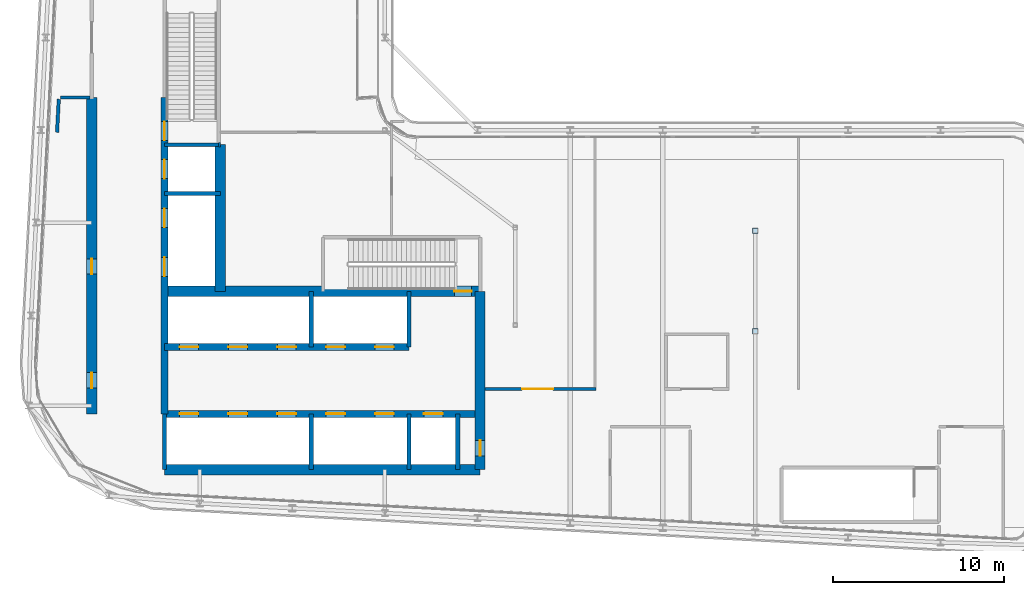
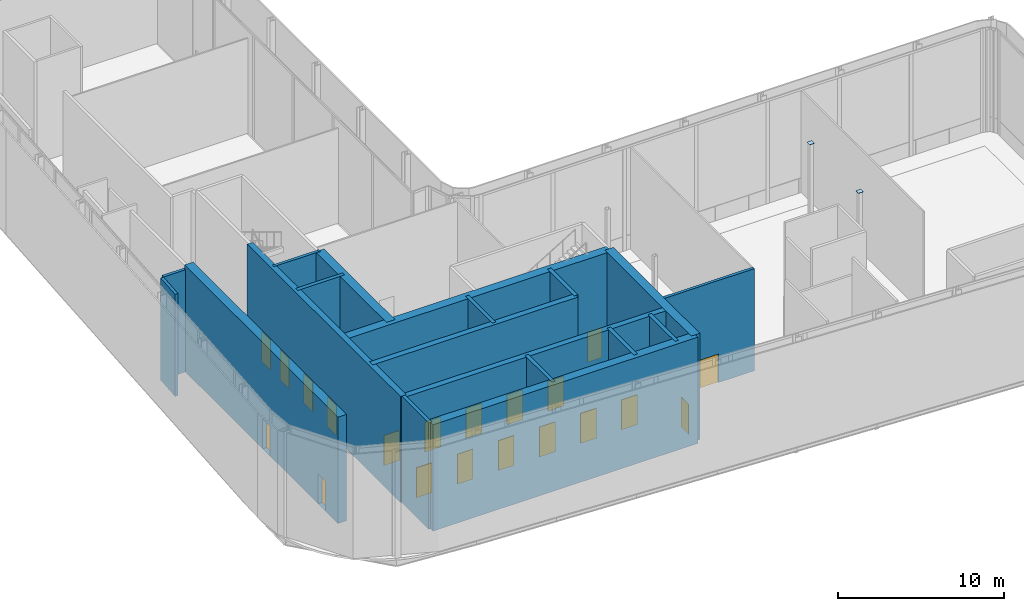
# One storey, part 20 of 27: 20 doors, 20 walls, 2 plates, 20 openings.
"""IFC4 building model written with IfcOpenShell, lengths in metres."""

from ifc_helpers import new_model, si_unit, direction, frame, frame_2d, origin, origin_2d, place, context, subcontext, project, spatial, rectangle, extrude, source, transform, mapped, material, layer, layer_set, type_object, element, fill, save


model = new_model("IFC4")

# Units and contexts
model_context = context("Model", 3, precision=1e-05, world=origin(), true_north=direction((0.0, 1.0)))
body_context = subcontext(model_context, "Body", "Model", "MODEL_VIEW")
ifc_project = project(units=[si_unit("LENGTHUNIT", "METRE"), si_unit("AREAUNIT", "SQUARE_METRE"), si_unit("VOLUMEUNIT", "CUBIC_METRE"), si_unit("PLANEANGLEUNIT", "RADIAN"), si_unit("MASSUNIT", "GRAM", prefix="KILO")], contexts=[model_context])

# Site, building, storey
site_placement = place(None, origin())
site = spatial("IfcSite", under=ifc_project, at=site_placement, CompositionType="ELEMENT")
building_placement = place(site_placement, origin())
building = spatial("IfcBuilding", under=site, at=building_placement, Name="Kheshtan School and Residences Tower", CompositionType="ELEMENT")
storey_placement = place(building_placement, frame((0.0, 0.0, 266.89990234375)))
storey = spatial("IfcBuildingStorey", under=building, at=storey_placement, Name="L63", CompositionType="ELEMENT", Elevation=266.89990234375)

# Plates
ifc_material_1 = material(Name="Steel ASTM A992 Grade 50", Category="steel")
ifc_layer_1 = layer(ifc_material_1, 0.02490234375)
ifc_layer_set_1 = layer_set([ifc_layer_1], Name="End plate 25 HSS 254x254x12.7 ASTM A992 Grade 50")
plate_type = type_object("IfcPlateType", Name="End plate 25 HSS 254x254x12.7 ASTM A992 Grade 50", PredefinedType="SHEET", material=ifc_layer_set_1)
for number, where, z_axis, x_axis, name in (
    (1, (69.199951171875, 33.863037109375, 7.800048828125), (0.0, 0.0, 1.0), (1.0, 0.0, 0.0), "End plate"),
    (2, (69.199951171875, 39.73193359375, 7.800048828125), (0.0, 0.0, 1.0), (1.0, 0.0, 0.0), "End plate"),
):
    element("IfcPlate", number, at=place(storey_placement, frame(where, z_axis=z_axis, x_axis=x_axis)), inside=storey, type_object=plate_type, Name=name, PredefinedType="SHEET", context=body_context, shape_type="SweptSolid", body=[
        extrude(rectangle(XDim=0.333984375, YDim=0.333984375, at=origin_2d()), origin(), (0.0, 0.0, 1.0), 0.02490234375),
    ])

# Wall, openings, doors
ifc_material_2 = material(Name="Concrete C50/60", Category="concrete")
ifc_layer_2 = layer(ifc_material_2, 0.39990234375)
ifc_layer_set_2 = layer_set([ifc_layer_2], Name="Core wall 400 Concrete C50/60")
wall_type_1 = type_object("IfcWallType", Name="Core wall 400 Concrete C50/60", PredefinedType="SHEAR", material=ifc_layer_set_2)
wall_1_placement = place(storey_placement, frame((34.75, 29.050048828125, 0.0), z_axis=(0.0, 0.0, 1.0), x_axis=(1.0, 0.0, 0.0)))
wall_1 = element("IfcWall", 3, at=wall_1_placement, inside=storey, type_object=wall_type_1, Name="Core wall CW-HALL-S1", PredefinedType="SHEAR", context=body_context, shape_type="SweptSolid", body=[
    extrude(rectangle(XDim=18.39990234375, YDim=0.39990234375, at=frame_2d((9.199951171875, 0.0))), origin(), (0.0, 0.0, 1.0), 7.800048828125),
])
opening_1_placement = place(wall_1_placement, frame((0.875, 0.0, 0.0)))
opening_1 = element("IfcOpeningElement", 4, at=opening_1_placement, cuts=wall_1, Name="Opening LD", PredefinedType="OPENING", context=body_context, shape_type="SweptSolid", body=[
    extrude(rectangle(XDim=1.10009765625, YDim=2.199951171875, at=frame_2d((0.550048828125, 1.10009765625))), frame((0.0, 0.2099609375, 0.0), z_axis=(0.0, -1.0, 0.0), x_axis=(1.0, 0.0, 0.0)), (0.0, 0.0, 1.0), 0.419921875),
])
opening_2_placement = place(wall_1_placement, frame((3.72509765625, 0.0, 0.0)))
opening_2 = element("IfcOpeningElement", 5, at=opening_2_placement, cuts=wall_1, Name="Opening LD", PredefinedType="OPENING", context=body_context, shape_type="SweptSolid", body=[
    extrude(rectangle(XDim=1.10009765625, YDim=2.199951171875, at=frame_2d((0.550048828125, 1.10009765625))), frame((0.0, 0.2099609375, 0.0), z_axis=(0.0, -1.0, 0.0), x_axis=(1.0, 0.0, 0.0)), (0.0, 0.0, 1.0), 0.419921875),
])
opening_3_placement = place(wall_1_placement, frame((6.574951171875, 0.0, 0.0)))
opening_3 = element("IfcOpeningElement", 6, at=opening_3_placement, cuts=wall_1, Name="Opening LD", PredefinedType="OPENING", context=body_context, shape_type="SweptSolid", body=[
    extrude(rectangle(XDim=1.10009765625, YDim=2.199951171875, at=frame_2d((0.550048828125, 1.10009765625))), frame((0.0, 0.2099609375, 0.0), z_axis=(0.0, -1.0, 0.0), x_axis=(1.0, 0.0, 0.0)), (0.0, 0.0, 1.0), 0.419921875),
])
opening_4_placement = place(wall_1_placement, frame((9.425048828125, 0.0, 0.0)))
opening_4 = element("IfcOpeningElement", 7, at=opening_4_placement, cuts=wall_1, Name="Opening LD", PredefinedType="OPENING", context=body_context, shape_type="SweptSolid", body=[
    extrude(rectangle(XDim=1.10009765625, YDim=2.199951171875, at=frame_2d((0.550048828125, 1.10009765625))), frame((0.0, 0.2099609375, 0.0), z_axis=(0.0, -1.0, 0.0), x_axis=(1.0, 0.0, 0.0)), (0.0, 0.0, 1.0), 0.419921875),
])
opening_5_placement = place(wall_1_placement, frame((12.27490234375, 0.0, 0.0)))
opening_5 = element("IfcOpeningElement", 8, at=opening_5_placement, cuts=wall_1, Name="Opening LD", PredefinedType="OPENING", context=body_context, shape_type="SweptSolid", body=[
    extrude(rectangle(XDim=1.10009765625, YDim=2.199951171875, at=frame_2d((0.550048828125, 1.10009765625))), frame((0.0, 0.2099609375, 0.0), z_axis=(0.0, -1.0, 0.0), x_axis=(1.0, 0.0, 0.0)), (0.0, 0.0, 1.0), 0.419921875),
])
opening_6_placement = place(wall_1_placement, frame((15.125, 0.0, 0.0)))
opening_6 = element("IfcOpeningElement", 9, at=opening_6_placement, cuts=wall_1, Name="Opening LD", PredefinedType="OPENING", context=body_context, shape_type="SweptSolid", body=[
    extrude(rectangle(XDim=1.10009765625, YDim=2.199951171875, at=frame_2d((0.550048828125, 1.10009765625))), frame((0.0, 0.2099609375, 0.0), z_axis=(0.0, -1.0, 0.0), x_axis=(1.0, 0.0, 0.0)), (0.0, 0.0, 1.0), 0.419921875),
])
ifc_material_3 = material(Name="Stainless steel door leaves", Category="steel")
door_type_1 = type_object("IfcDoorType", Name="Lift landing door 1100", OperationType="SLIDING_TO_LEFT", PredefinedType="DOOR", material=ifc_material_3)
shared_shape_1 = source(origin(), body_context, "Body", "SweptSolid", [
    extrude(rectangle(XDim=1.10009765625, YDim=2.199951171875, at=frame_2d((0.550048828125, 1.10009765625))), frame((0.0, 0.02490234375, 0.0), z_axis=(0.0, -1.0, 0.0), x_axis=(1.0, 0.0, 0.0)), (0.0, 0.0, 1.0), 0.050048828125),
])
door_1_placement = place(opening_1_placement, origin())
door_1 = element("IfcDoor", 10, at=door_1_placement, inside=storey, type_object=door_type_1, Name="Lift P7 landing door", OperationType="SLIDING_TO_LEFT", OverallHeight=2.199951171875, OverallWidth=1.10009765625, PredefinedType="DOOR", context=body_context, shape_type="MappedRepresentation", body=[
    mapped(shared_shape_1, transform((0.0, 0.0, 0.0), x_axis=(1.0, 0.0, 0.0), y_axis=(0.0, 1.0, 0.0), z_axis=(0.0, 0.0, 1.0), scale=1.0)),
])
fill(opening_1, door_1)
door_2_placement = place(opening_2_placement, origin())
door_2 = element("IfcDoor", 11, at=door_2_placement, inside=storey, type_object=door_type_1, Name="Lift P8 landing door", OperationType="SLIDING_TO_LEFT", OverallHeight=2.199951171875, OverallWidth=1.10009765625, PredefinedType="DOOR", context=body_context, shape_type="MappedRepresentation", body=[
    mapped(shared_shape_1, transform((0.0, 0.0, 0.0), x_axis=(1.0, 0.0, 0.0), y_axis=(0.0, 1.0, 0.0), z_axis=(0.0, 0.0, 1.0), scale=1.0)),
])
fill(opening_2, door_2)
door_3_placement = place(opening_3_placement, origin())
door_3 = element("IfcDoor", 12, at=door_3_placement, inside=storey, type_object=door_type_1, Name="Lift P9 landing door", OperationType="SLIDING_TO_LEFT", OverallHeight=2.199951171875, OverallWidth=1.10009765625, PredefinedType="DOOR", context=body_context, shape_type="MappedRepresentation", body=[
    mapped(shared_shape_1, transform((0.0, 0.0, 0.0), x_axis=(1.0, 0.0, 0.0), y_axis=(0.0, 1.0, 0.0), z_axis=(0.0, 0.0, 1.0), scale=1.0)),
])
fill(opening_3, door_3)
door_4_placement = place(opening_4_placement, origin())
door_4 = element("IfcDoor", 13, at=door_4_placement, inside=storey, type_object=door_type_1, Name="Lift P10 landing door", OperationType="SLIDING_TO_LEFT", OverallHeight=2.199951171875, OverallWidth=1.10009765625, PredefinedType="DOOR", context=body_context, shape_type="MappedRepresentation", body=[
    mapped(shared_shape_1, transform((0.0, 0.0, 0.0), x_axis=(1.0, 0.0, 0.0), y_axis=(0.0, 1.0, 0.0), z_axis=(0.0, 0.0, 1.0), scale=1.0)),
])
fill(opening_4, door_4)
door_5_placement = place(opening_5_placement, origin())
door_5 = element("IfcDoor", 14, at=door_5_placement, inside=storey, type_object=door_type_1, Name="Lift P11 landing door", OperationType="SLIDING_TO_LEFT", OverallHeight=2.199951171875, OverallWidth=1.10009765625, PredefinedType="DOOR", context=body_context, shape_type="MappedRepresentation", body=[
    mapped(shared_shape_1, transform((0.0, 0.0, 0.0), x_axis=(1.0, 0.0, 0.0), y_axis=(0.0, 1.0, 0.0), z_axis=(0.0, 0.0, 1.0), scale=1.0)),
])
fill(opening_5, door_5)
door_6_placement = place(opening_6_placement, origin())
door_6 = element("IfcDoor", 15, at=door_6_placement, inside=storey, type_object=door_type_1, Name="Lift FFL2 landing door", OperationType="SLIDING_TO_LEFT", OverallHeight=2.199951171875, OverallWidth=1.10009765625, PredefinedType="DOOR", context=body_context, shape_type="MappedRepresentation", body=[
    mapped(shared_shape_1, transform((0.0, 0.0, 0.0), x_axis=(1.0, 0.0, 0.0), y_axis=(0.0, 1.0, 0.0), z_axis=(0.0, 0.0, 1.0), scale=1.0)),
])
fill(opening_6, door_6)

wall_2_placement = place(storey_placement, frame((34.75, 32.949951171875, 0.0), z_axis=(0.0, 0.0, 1.0), x_axis=(1.0, 0.0, 0.0)))
wall_2 = element("IfcWall", 16, at=wall_2_placement, inside=storey, type_object=wall_type_1, Name="Core wall CW-HALL-S2", PredefinedType="SHEAR", context=body_context, shape_type="SweptSolid", body=[
    extrude(rectangle(XDim=14.25, YDim=0.39990234375, at=frame_2d((7.125, 0.0))), origin(), (0.0, 0.0, 1.0), 7.800048828125),
])
opening_7_placement = place(wall_2_placement, frame((0.875, 0.0, 0.0)))
opening_7 = element("IfcOpeningElement", 17, at=opening_7_placement, cuts=wall_2, Name="Opening LD", PredefinedType="OPENING", context=body_context, shape_type="SweptSolid", body=[
    extrude(rectangle(XDim=1.10009765625, YDim=2.199951171875, at=frame_2d((0.550048828125, 1.10009765625))), frame((0.0, 0.2099609375, 0.0), z_axis=(0.0, -1.0, 0.0), x_axis=(1.0, 0.0, 0.0)), (0.0, 0.0, 1.0), 0.419921875),
])
opening_8_placement = place(wall_2_placement, frame((3.72509765625, 0.0, 0.0)))
opening_8 = element("IfcOpeningElement", 18, at=opening_8_placement, cuts=wall_2, Name="Opening LD", PredefinedType="OPENING", context=body_context, shape_type="SweptSolid", body=[
    extrude(rectangle(XDim=1.10009765625, YDim=2.199951171875, at=frame_2d((0.550048828125, 1.10009765625))), frame((0.0, 0.2099609375, 0.0), z_axis=(0.0, -1.0, 0.0), x_axis=(1.0, 0.0, 0.0)), (0.0, 0.0, 1.0), 0.419921875),
])
opening_9_placement = place(wall_2_placement, frame((6.574951171875, 0.0, 0.0)))
opening_9 = element("IfcOpeningElement", 19, at=opening_9_placement, cuts=wall_2, Name="Opening LD", PredefinedType="OPENING", context=body_context, shape_type="SweptSolid", body=[
    extrude(rectangle(XDim=1.10009765625, YDim=2.199951171875, at=frame_2d((0.550048828125, 1.10009765625))), frame((0.0, 0.2099609375, 0.0), z_axis=(0.0, -1.0, 0.0), x_axis=(1.0, 0.0, 0.0)), (0.0, 0.0, 1.0), 0.419921875),
])
opening_10_placement = place(wall_2_placement, frame((9.425048828125, 0.0, 0.0)))
opening_10 = element("IfcOpeningElement", 20, at=opening_10_placement, cuts=wall_2, Name="Opening LD", PredefinedType="OPENING", context=body_context, shape_type="SweptSolid", body=[
    extrude(rectangle(XDim=1.10009765625, YDim=2.199951171875, at=frame_2d((0.550048828125, 1.10009765625))), frame((0.0, 0.2099609375, 0.0), z_axis=(0.0, -1.0, 0.0), x_axis=(1.0, 0.0, 0.0)), (0.0, 0.0, 1.0), 0.419921875),
])
opening_11_placement = place(wall_2_placement, frame((12.27490234375, 0.0, 0.0)))
opening_11 = element("IfcOpeningElement", 21, at=opening_11_placement, cuts=wall_2, Name="Opening LD", PredefinedType="OPENING", context=body_context, shape_type="SweptSolid", body=[
    extrude(rectangle(XDim=1.10009765625, YDim=2.199951171875, at=frame_2d((0.550048828125, 1.10009765625))), frame((0.0, 0.2099609375, 0.0), z_axis=(0.0, -1.0, 0.0), x_axis=(1.0, 0.0, 0.0)), (0.0, 0.0, 1.0), 0.419921875),
])
door_7_placement = place(opening_7_placement, origin())
door_7 = element("IfcDoor", 22, at=door_7_placement, inside=storey, type_object=door_type_1, Name="Lift P12 landing door", OperationType="SLIDING_TO_LEFT", OverallHeight=2.199951171875, OverallWidth=1.10009765625, PredefinedType="DOOR", context=body_context, shape_type="MappedRepresentation", body=[
    mapped(shared_shape_1, transform((0.0, 0.0, 0.0), x_axis=(1.0, 0.0, 0.0), y_axis=(0.0, 1.0, 0.0), z_axis=(0.0, 0.0, 1.0), scale=1.0)),
])
fill(opening_7, door_7)
door_8_placement = place(opening_8_placement, origin())
door_8 = element("IfcDoor", 23, at=door_8_placement, inside=storey, type_object=door_type_1, Name="Lift P13 landing door", OperationType="SLIDING_TO_LEFT", OverallHeight=2.199951171875, OverallWidth=1.10009765625, PredefinedType="DOOR", context=body_context, shape_type="MappedRepresentation", body=[
    mapped(shared_shape_1, transform((0.0, 0.0, 0.0), x_axis=(1.0, 0.0, 0.0), y_axis=(0.0, 1.0, 0.0), z_axis=(0.0, 0.0, 1.0), scale=1.0)),
])
fill(opening_8, door_8)
door_9_placement = place(opening_9_placement, origin())
door_9 = element("IfcDoor", 24, at=door_9_placement, inside=storey, type_object=door_type_1, Name="Lift P14 landing door", OperationType="SLIDING_TO_LEFT", OverallHeight=2.199951171875, OverallWidth=1.10009765625, PredefinedType="DOOR", context=body_context, shape_type="MappedRepresentation", body=[
    mapped(shared_shape_1, transform((0.0, 0.0, 0.0), x_axis=(1.0, 0.0, 0.0), y_axis=(0.0, 1.0, 0.0), z_axis=(0.0, 0.0, 1.0), scale=1.0)),
])
fill(opening_9, door_9)
door_10_placement = place(opening_10_placement, origin())
door_10 = element("IfcDoor", 25, at=door_10_placement, inside=storey, type_object=door_type_1, Name="Lift P15 landing door", OperationType="SLIDING_TO_LEFT", OverallHeight=2.199951171875, OverallWidth=1.10009765625, PredefinedType="DOOR", context=body_context, shape_type="MappedRepresentation", body=[
    mapped(shared_shape_1, transform((0.0, 0.0, 0.0), x_axis=(1.0, 0.0, 0.0), y_axis=(0.0, 1.0, 0.0), z_axis=(0.0, 0.0, 1.0), scale=1.0)),
])
fill(opening_10, door_10)
door_11_placement = place(opening_11_placement, origin())
door_11 = element("IfcDoor", 26, at=door_11_placement, inside=storey, type_object=door_type_1, Name="Lift P16 landing door", OperationType="SLIDING_TO_LEFT", OverallHeight=2.199951171875, OverallWidth=1.10009765625, PredefinedType="DOOR", context=body_context, shape_type="MappedRepresentation", body=[
    mapped(shared_shape_1, transform((0.0, 0.0, 0.0), x_axis=(1.0, 0.0, 0.0), y_axis=(0.0, 1.0, 0.0), z_axis=(0.0, 0.0, 1.0), scale=1.0)),
])
fill(opening_11, door_11)

wall_3_placement = place(storey_placement, frame((34.75, 29.050048828125, 0.0), z_axis=(0.0, 0.0, 1.0), x_axis=(0.0, 1.0, 0.0)))
wall_3 = element("IfcWall", 27, at=wall_3_placement, inside=storey, type_object=wall_type_1, Name="Core wall CW-HALL-W1", PredefinedType="SHEAR", context=body_context, shape_type="SweptSolid", body=[
    extrude(rectangle(XDim=18.449951171875, YDim=0.39990234375, at=frame_2d((9.22509765625, 0.0))), origin(), (0.0, 0.0, 1.0), 7.800048828125),
])
opening_12_placement = place(wall_3_placement, frame((8.02490234375, 0.0, 0.0)))
opening_12 = element("IfcOpeningElement", 28, at=opening_12_placement, cuts=wall_3, Name="Opening LD", PredefinedType="OPENING", context=body_context, shape_type="SweptSolid", body=[
    extrude(rectangle(XDim=1.10009765625, YDim=2.199951171875, at=frame_2d((0.550048828125, 1.10009765625))), frame((0.0, 0.2099609375, 0.0), z_axis=(0.0, -1.0, 0.0), x_axis=(1.0, 0.0, 0.0)), (0.0, 0.0, 1.0), 0.419921875),
])
opening_13_placement = place(wall_3_placement, frame((10.875, 0.0, 0.0)))
opening_13 = element("IfcOpeningElement", 29, at=opening_13_placement, cuts=wall_3, Name="Opening LD", PredefinedType="OPENING", context=body_context, shape_type="SweptSolid", body=[
    extrude(rectangle(XDim=1.10009765625, YDim=2.199951171875, at=frame_2d((0.550048828125, 1.10009765625))), frame((0.0, 0.2099609375, 0.0), z_axis=(0.0, -1.0, 0.0), x_axis=(1.0, 0.0, 0.0)), (0.0, 0.0, 1.0), 0.419921875),
])
opening_14_placement = place(wall_3_placement, frame((13.72509765625, 0.0, 0.0)))
opening_14 = element("IfcOpeningElement", 30, at=opening_14_placement, cuts=wall_3, Name="Opening LD", PredefinedType="OPENING", context=body_context, shape_type="SweptSolid", body=[
    extrude(rectangle(XDim=1.10009765625, YDim=2.199951171875, at=frame_2d((0.550048828125, 1.10009765625))), frame((0.0, 0.2099609375, 0.0), z_axis=(0.0, -1.0, 0.0), x_axis=(1.0, 0.0, 0.0)), (0.0, 0.0, 1.0), 0.419921875),
])
opening_15_placement = place(wall_3_placement, frame((15.949951171875, 0.0, 0.0)))
opening_15 = element("IfcOpeningElement", 31, at=opening_15_placement, cuts=wall_3, Name="Opening ST2D", PredefinedType="OPENING", context=body_context, shape_type="SweptSolid", body=[
    extrude(rectangle(XDim=1.10009765625, YDim=2.199951171875, at=frame_2d((0.550048828125, 1.10009765625))), frame((0.0, 0.2099609375, 0.0), z_axis=(0.0, -1.0, 0.0), x_axis=(1.0, 0.0, 0.0)), (0.0, 0.0, 1.0), 0.419921875),
])
door_12_placement = place(opening_12_placement, origin())
door_12 = element("IfcDoor", 32, at=door_12_placement, inside=storey, type_object=door_type_1, Name="Lift SV1 landing door", OperationType="SLIDING_TO_LEFT", OverallHeight=2.199951171875, OverallWidth=1.10009765625, PredefinedType="DOOR", context=body_context, shape_type="MappedRepresentation", body=[
    mapped(shared_shape_1, transform((0.0, 0.0, 0.0), x_axis=(1.0, 0.0, 0.0), y_axis=(0.0, 1.0, 0.0), z_axis=(0.0, 0.0, 1.0), scale=1.0)),
])
fill(opening_12, door_12)
door_13_placement = place(opening_13_placement, origin())
door_13 = element("IfcDoor", 33, at=door_13_placement, inside=storey, type_object=door_type_1, Name="Lift SV2 landing door", OperationType="SLIDING_TO_LEFT", OverallHeight=2.199951171875, OverallWidth=1.10009765625, PredefinedType="DOOR", context=body_context, shape_type="MappedRepresentation", body=[
    mapped(shared_shape_1, transform((0.0, 0.0, 0.0), x_axis=(1.0, 0.0, 0.0), y_axis=(0.0, 1.0, 0.0), z_axis=(0.0, 0.0, 1.0), scale=1.0)),
])
fill(opening_13, door_13)
door_14_placement = place(opening_14_placement, origin())
door_14 = element("IfcDoor", 34, at=door_14_placement, inside=storey, type_object=door_type_1, Name="Lift FFL1 landing door", OperationType="SLIDING_TO_LEFT", OverallHeight=2.199951171875, OverallWidth=1.10009765625, PredefinedType="DOOR", context=body_context, shape_type="MappedRepresentation", body=[
    mapped(shared_shape_1, transform((0.0, 0.0, 0.0), x_axis=(1.0, 0.0, 0.0), y_axis=(0.0, 1.0, 0.0), z_axis=(0.0, 0.0, 1.0), scale=1.0)),
])
fill(opening_14, door_14)
ifc_material_4 = material(Name="Steel door leaf, galvanised", Category="steel")
door_type_2 = type_object("IfcDoorType", Name="Stair door 1100 steel 90 min", OperationType="SINGLE_SWING_LEFT", PredefinedType="DOOR", material=ifc_material_4)
shared_shape_2 = source(origin(), body_context, "Body", "SweptSolid", [
    extrude(rectangle(XDim=1.10009765625, YDim=2.199951171875, at=frame_2d((0.550048828125, 1.10009765625))), frame((0.0, 0.02490234375, 0.0), z_axis=(0.0, -1.0, 0.0), x_axis=(1.0, 0.0, 0.0)), (0.0, 0.0, 1.0), 0.050048828125),
])
door_15_placement = place(opening_15_placement, origin())
door_15 = element("IfcDoor", 35, at=door_15_placement, inside=storey, type_object=door_type_2, Name="Stair ST2 door", OperationType="SINGLE_SWING_RIGHT", OverallHeight=2.199951171875, OverallWidth=1.10009765625, PredefinedType="DOOR", context=body_context, shape_type="MappedRepresentation", body=[
    mapped(shared_shape_2, transform((0.0, 0.0, 0.0), x_axis=(1.0, 0.0, 0.0), y_axis=(0.0, 1.0, 0.0), z_axis=(0.0, 0.0, 1.0), scale=1.0)),
])
fill(opening_15, door_15)

# Wall
ifc_material_5 = material(Name="Concrete C60/75", Category="concrete")
ifc_layer_3 = layer(ifc_material_5, 0.60009765625)
ifc_layer_set_3 = layer_set([ifc_layer_3], Name="Core wall 600 Concrete C60/75")
wall_type_2 = type_object("IfcWallType", Name="Core wall 600 Concrete C60/75", PredefinedType="SHEAR", material=ifc_layer_set_3)
wall_4_placement = place(storey_placement, frame((34.75, 25.800048828125, 0.0), z_axis=(0.0, 0.0, 1.0), x_axis=(1.0, 0.0, 0.0)))
element("IfcWall", 36, at=wall_4_placement, inside=storey, type_object=wall_type_2, Name="Core wall CW-REAR-S", PredefinedType="SHEAR", context=body_context, shape_type="SweptSolid", body=[
    extrude(rectangle(XDim=18.39990234375, YDim=0.60009765625, at=frame_2d((9.199951171875, 0.0))), origin(), (0.0, 0.0, 1.0), 7.800048828125),
])

# Wall, opening, door
wall_5_placement = place(storey_placement, frame((34.75, 36.199951171875, 0.0), z_axis=(0.0, 0.0, 1.0), x_axis=(1.0, 0.0, 0.0)))
wall_5 = element("IfcWall", 37, at=wall_5_placement, inside=storey, type_object=wall_type_2, Name="Core wall CW-FRONT-S", PredefinedType="SHEAR", context=body_context, shape_type="SweptSolid", body=[
    extrude(rectangle(XDim=18.39990234375, YDim=0.60009765625, at=frame_2d((9.199951171875, 0.0))), origin(), (0.0, 0.0, 1.0), 7.800048828125),
])
opening_16_placement = place(wall_5_placement, frame((16.89990234375, 0.0, 0.0)))
opening_16 = element("IfcOpeningElement", 38, at=opening_16_placement, cuts=wall_5, Name="Opening ST1D", PredefinedType="OPENING", context=body_context, shape_type="SweptSolid", body=[
    extrude(rectangle(XDim=1.0, YDim=2.199951171875, at=frame_2d((0.5, 1.10009765625))), frame((0.0, 0.31005859375, 0.0), z_axis=(0.0, -1.0, 0.0), x_axis=(1.0, 0.0, 0.0)), (0.0, 0.0, 1.0), 0.6201171875),
])
shared_shape_3 = source(origin(), body_context, "Body", "SweptSolid", [
    extrude(rectangle(XDim=1.0, YDim=2.199951171875, at=frame_2d((0.5, 1.10009765625))), frame((0.0, 0.02490234375, 0.0), z_axis=(0.0, -1.0, 0.0), x_axis=(1.0, 0.0, 0.0)), (0.0, 0.0, 1.0), 0.050048828125),
])
door_16_placement = place(opening_16_placement, origin())
door_16 = element("IfcDoor", 39, at=door_16_placement, inside=storey, type_object=door_type_2, Name="Stair ST1 door", OperationType="SINGLE_SWING_RIGHT", OverallHeight=2.199951171875, OverallWidth=1.0, PredefinedType="DOOR", context=body_context, shape_type="MappedRepresentation", body=[
    mapped(shared_shape_3, transform((0.0, 0.0, 0.0), x_axis=(1.0, 0.0, 0.0), y_axis=(0.0, 1.0, 0.0), z_axis=(0.0, 0.0, 1.0), scale=1.0)),
])
fill(opening_16, door_16)

# Wall
wall_6_placement = place(storey_placement, frame((38.0, 36.199951171875, 0.0), z_axis=(0.0, 0.0, 1.0), x_axis=(0.0, 1.0, 0.0)))
element("IfcWall", 40, at=wall_6_placement, inside=storey, type_object=wall_type_2, Name="Core wall CW-FRONT-W", PredefinedType="SHEAR", context=body_context, shape_type="SweptSolid", body=[
    extrude(rectangle(XDim=8.550048828125, YDim=0.60009765625, at=frame_2d((4.27490234375, 0.0))), origin(), (0.0, 0.0, 1.0), 7.800048828125),
])

# Wall, openings, doors
wall_7_placement = place(storey_placement, frame((30.5, 29.050048828125, 0.0), z_axis=(0.0, 0.0, 1.0), x_axis=(0.0, 1.0, 0.0)))
wall_7 = element("IfcWall", 41, at=wall_7_placement, inside=storey, type_object=wall_type_2, Name="Core wall CW-REAR-W", PredefinedType="SHEAR", context=body_context, shape_type="SweptSolid", body=[
    extrude(rectangle(XDim=18.449951171875, YDim=0.60009765625, at=frame_2d((9.22509765625, 0.0))), origin(), (0.0, 0.0, 1.0), 7.800048828125),
])
opening_17_placement = place(wall_7_placement, frame((1.5, 0.0, 0.0)))
opening_17 = element("IfcOpeningElement", 42, at=opening_17_placement, cuts=wall_7, Name="Opening SR90", PredefinedType="OPENING", context=body_context, shape_type="SweptSolid", body=[
    extrude(rectangle(XDim=0.89990234375, YDim=2.199951171875, at=frame_2d((0.449951171875, 1.10009765625))), frame((0.0, 0.31005859375, 0.0), z_axis=(0.0, -1.0, 0.0), x_axis=(1.0, 0.0, 0.0)), (0.0, 0.0, 1.0), 0.6201171875),
])
opening_18_placement = place(wall_7_placement, frame((8.14599609375, 0.0, 0.0)))
opening_18 = element("IfcOpeningElement", 43, at=opening_18_placement, cuts=wall_7, Name="Opening SR90", PredefinedType="OPENING", context=body_context, shape_type="SweptSolid", body=[
    extrude(rectangle(XDim=0.89990234375, YDim=2.199951171875, at=frame_2d((0.449951171875, 1.10009765625))), frame((0.0, 0.31005859375, 0.0), z_axis=(0.0, -1.0, 0.0), x_axis=(1.0, 0.0, 0.0)), (0.0, 0.0, 1.0), 0.6201171875),
])
door_type_3 = type_object("IfcDoorType", Name="Service room door 900 steel 90 min", OperationType="SINGLE_SWING_LEFT", PredefinedType="DOOR", material=ifc_material_4)
shared_shape_4 = source(origin(), body_context, "Body", "SweptSolid", [
    extrude(rectangle(XDim=0.89990234375, YDim=2.199951171875, at=frame_2d((0.449951171875, 1.10009765625))), frame((0.0, 0.02490234375, 0.0), z_axis=(0.0, -1.0, 0.0), x_axis=(1.0, 0.0, 0.0)), (0.0, 0.0, 1.0), 0.050048828125),
])
door_17_placement = place(opening_17_placement, origin())
door_17 = element("IfcDoor", 44, at=door_17_placement, inside=storey, type_object=door_type_3, Name="Service room door", OperationType="SINGLE_SWING_LEFT", OverallHeight=2.199951171875, OverallWidth=0.89990234375, PredefinedType="DOOR", context=body_context, shape_type="MappedRepresentation", body=[
    mapped(shared_shape_4, transform((0.0, 0.0, 0.0), x_axis=(1.0, 0.0, 0.0), y_axis=(0.0, 1.0, 0.0), z_axis=(0.0, 0.0, 1.0), scale=1.0)),
])
fill(opening_17, door_17)
door_18_placement = place(opening_18_placement, origin())
door_18 = element("IfcDoor", 45, at=door_18_placement, inside=storey, type_object=door_type_3, Name="Service room door", OperationType="SINGLE_SWING_LEFT", OverallHeight=2.199951171875, OverallWidth=0.89990234375, PredefinedType="DOOR", context=body_context, shape_type="MappedRepresentation", body=[
    mapped(shared_shape_4, transform((0.0, 0.0, 0.0), x_axis=(1.0, 0.0, 0.0), y_axis=(0.0, 1.0, 0.0), z_axis=(0.0, 0.0, 1.0), scale=1.0)),
])
fill(opening_18, door_18)

# Wall, opening, door
wall_8_placement = place(storey_placement, frame((53.14990234375, 25.800048828125, 0.0), z_axis=(0.0, 0.0, 1.0), x_axis=(0.0, 1.0, 0.0)))
wall_8 = element("IfcWall", 46, at=wall_8_placement, inside=storey, type_object=wall_type_2, Name="Core wall CW-EAST", PredefinedType="SHEAR", context=body_context, shape_type="SweptSolid", body=[
    extrude(rectangle(XDim=10.39990234375, YDim=0.60009765625, at=frame_2d((5.199951171875, 0.0))), origin(), (0.0, 0.0, 1.0), 7.800048828125),
])
opening_19_placement = place(wall_8_placement, frame((0.800048828125, 0.0, 0.0)))
opening_19 = element("IfcOpeningElement", 47, at=opening_19_placement, cuts=wall_8, Name="Opening SR90", PredefinedType="OPENING", context=body_context, shape_type="SweptSolid", body=[
    extrude(rectangle(XDim=0.89990234375, YDim=2.199951171875, at=frame_2d((0.449951171875, 1.10009765625))), frame((0.0, 0.31005859375, 0.0), z_axis=(0.0, -1.0, 0.0), x_axis=(1.0, 0.0, 0.0)), (0.0, 0.0, 1.0), 0.6201171875),
])
door_19_placement = place(opening_19_placement, origin())
door_19 = element("IfcDoor", 48, at=door_19_placement, inside=storey, type_object=door_type_3, Name="Service room door", OperationType="SINGLE_SWING_LEFT", OverallHeight=2.199951171875, OverallWidth=0.89990234375, PredefinedType="DOOR", context=body_context, shape_type="MappedRepresentation", body=[
    mapped(shared_shape_4, transform((0.0, 0.0, 0.0), x_axis=(1.0, 0.0, 0.0), y_axis=(0.0, 1.0, 0.0), z_axis=(0.0, 0.0, 1.0), scale=1.0)),
])
fill(opening_19, door_19)

# Walls
ifc_material_6 = material(Name="Gypsum board on steel studs with fire boards", Category="steel")
ifc_layer_4 = layer(ifc_material_6, 0.199951171875)
ifc_layer_set_4 = layer_set([ifc_layer_4], Name="Corridor wall 200")
wall_type_3 = type_object("IfcWallType", Name="Corridor wall 200", PredefinedType="PARTITIONING", material=ifc_layer_set_4)
wall_9_placement = place(storey_placement, frame((28.47998046875, 45.472900390625, 0.0), z_axis=(0.0, 0.0, 1.0), x_axis=(0.052884210331, 0.99860065106, 0.0)))
element("IfcWall", 49, at=wall_9_placement, inside=storey, type_object=wall_type_3, Name="Partition L63-001", PredefinedType="PARTITIONING", context=body_context, shape_type="SweptSolid", body=[
    extrude(rectangle(XDim=1.9296875, YDim=0.199951171875, at=frame_2d((0.96484375, 0.0))), origin(), (0.0, 0.0, 1.0), 7.5),
])
wall_10_placement = place(storey_placement, frame((28.68798828125, 47.5, 0.0), z_axis=(0.0, 0.0, 1.0), x_axis=(1.0, 0.0, 0.0)))
element("IfcWall", 50, at=wall_10_placement, inside=storey, type_object=wall_type_3, Name="Partition L63-002", PredefinedType="PARTITIONING", context=body_context, shape_type="SweptSolid", body=[
    extrude(rectangle(XDim=1.7119140625, YDim=0.199951171875, at=frame_2d((0.85595703125, 0.0))), origin(), (0.0, 0.0, 1.0), 7.5),
])

# Wall, opening, door
wall_11_placement = place(storey_placement, frame((53.448974609375, 30.5, 0.0), z_axis=(0.0, 0.0, 1.0), x_axis=(1.0, 0.0, 0.0)))
wall_11 = element("IfcWall", 51, at=wall_11_placement, inside=storey, type_object=wall_type_3, Name="Partition L63-025", PredefinedType="PARTITIONING", context=body_context, shape_type="SweptSolid", body=[
    extrude(rectangle(XDim=6.4541015625, YDim=0.199951171875, at=frame_2d((3.22705078125, 0.0))), origin(), (0.0, 0.0, 1.0), 7.5),
])
opening_20_placement = place(wall_11_placement, frame((2.153076171875, 0.0, 0.0)))
opening_20 = element("IfcOpeningElement", 52, at=opening_20_placement, cuts=wall_11, Name="Opening D63-001", PredefinedType="OPENING", context=body_context, shape_type="SweptSolid", body=[
    extrude(rectangle(XDim=1.800048828125, YDim=2.10009765625, at=frame_2d((0.89990234375, 1.050048828125))), frame((0.0, 0.10986328125, 0.0), z_axis=(0.0, -1.0, 0.0), x_axis=(1.0, 0.0, 0.0)), (0.0, 0.0, 1.0), 0.219970703125),
])
ifc_material_7 = material(Name="Steel-framed fire-resisting door leaf", Category="steel")
door_type_4 = type_object("IfcDoorType", Name="Fire double door FD60 1800 x 2100", OperationType="DOUBLE_DOOR_SINGLE_SWING", PredefinedType="DOOR", material=ifc_material_7)
shared_shape_5 = source(origin(), body_context, "Body", "SweptSolid", [
    extrude(rectangle(XDim=1.800048828125, YDim=2.10009765625, at=frame_2d((0.89990234375, 1.050048828125))), frame((0.0, 0.02490234375, 0.0), z_axis=(0.0, -1.0, 0.0), x_axis=(1.0, 0.0, 0.0)), (0.0, 0.0, 1.0), 0.050048828125),
])
door_20_placement = place(opening_20_placement, origin())
door_20 = element("IfcDoor", 53, at=door_20_placement, inside=storey, type_object=door_type_4, Name="Door D63-001", OperationType="DOUBLE_DOOR_SINGLE_SWING", OverallHeight=2.10009765625, OverallWidth=1.800048828125, PredefinedType="DOOR", context=body_context, shape_type="MappedRepresentation", body=[
    mapped(shared_shape_5, transform((0.0, 0.0, 0.0), x_axis=(1.0, 0.0, 0.0), y_axis=(0.0, 1.0, 0.0), z_axis=(0.0, 0.0, 1.0), scale=1.0)),
])
fill(opening_20, door_20)

# Walls
ifc_material_8 = material(Name="Fire-board shaft wall system")
ifc_layer_5 = layer(ifc_material_8, 0.25)
ifc_layer_set_5 = layer_set([ifc_layer_5], Name="Shaft lining wall 250")
wall_type_4 = type_object("IfcWallType", Name="Shaft lining wall 250", PredefinedType="PARTITIONING", material=ifc_layer_set_5)
for number, where, z_axis, x_axis, name in (
    (54, (34.75, 25.800048828125, 0.0), (0.0, 0.0, 1.0), (0.0, 1.0, 0.0), "Shaft lining wall"),
    (55, (43.300048828125, 25.800048828125, 0.0), (0.0, 0.0, 1.0), (0.0, 1.0, 0.0), "Shaft lining wall"),
    (56, (43.300048828125, 32.949951171875, 0.0), (0.0, 0.0, 1.0), (0.0, 1.0, 0.0), "Shaft lining wall"),
    (57, (49.0, 25.800048828125, 0.0), (0.0, 0.0, 1.0), (0.0, 1.0, 0.0), "Shaft lining wall"),
    (58, (49.0, 32.949951171875, 0.0), (0.0, 0.0, 1.0), (0.0, 1.0, 0.0), "Shaft lining wall"),
    (59, (51.85009765625, 25.800048828125, 0.0), (0.0, 0.0, 1.0), (0.0, 1.0, 0.0), "Shaft lining wall"),
    (60, (34.75, 41.89990234375, 0.0), (0.0, 0.0, 1.0), (1.0, 0.0, 0.0), "Shaft lining wall"),
):
    element("IfcWall", number, at=place(storey_placement, frame(where, z_axis=z_axis, x_axis=x_axis)), inside=storey, type_object=wall_type_4, Name=name, PredefinedType="PARTITIONING", context=body_context, shape_type="SweptSolid", body=[
        extrude(rectangle(XDim=3.25, YDim=0.25, at=frame_2d((1.625, 0.0))), origin(), (0.0, 0.0, 1.0), 7.800048828125),
    ])
wall_12_placement = place(storey_placement, frame((37.89990234375, 44.75, 0.0), z_axis=(0.0, 0.0, 1.0), x_axis=(1.0, 0.0, 0.0)))
element("IfcWall", 61, at=wall_12_placement, inside=storey, type_object=wall_type_4, Name="Shaft lining wall", PredefinedType="PARTITIONING", context=body_context, shape_type="SweptSolid", body=[
    extrude(rectangle(XDim=0.10009765625, YDim=0.25, at=frame_2d((0.050048828125, 0.0))), origin(), (0.0, 0.0, 1.0), 7.800048828125),
])
ifc_material_9 = material(Name="Concrete C40/50", Category="concrete")
ifc_layer_6 = layer(ifc_material_9, 0.199951171875)
ifc_layer_set_6 = layer_set([ifc_layer_6], Name="Stair enclosure wall 200 Concrete C40/50")
wall_type_5 = type_object("IfcWallType", Name="Stair enclosure wall 200 Concrete C40/50", PredefinedType="SHEAR", material=ifc_layer_set_6)
wall_13_placement = place(storey_placement, frame((34.75, 44.75, 0.0), z_axis=(0.0, 0.0, 1.0), x_axis=(1.0, 0.0, 0.0)))
element("IfcWall", 62, at=wall_13_placement, inside=storey, type_object=wall_type_5, Name="Stair enclosure wall ST2", PredefinedType="SHEAR", context=body_context, shape_type="SweptSolid", body=[
    extrude(rectangle(XDim=3.14990234375, YDim=0.199951171875, at=frame_2d((1.574951171875, 0.0))), origin(), (0.0, 0.0, 1.0), 7.800048828125),
])

save(model, "model.ifc")
